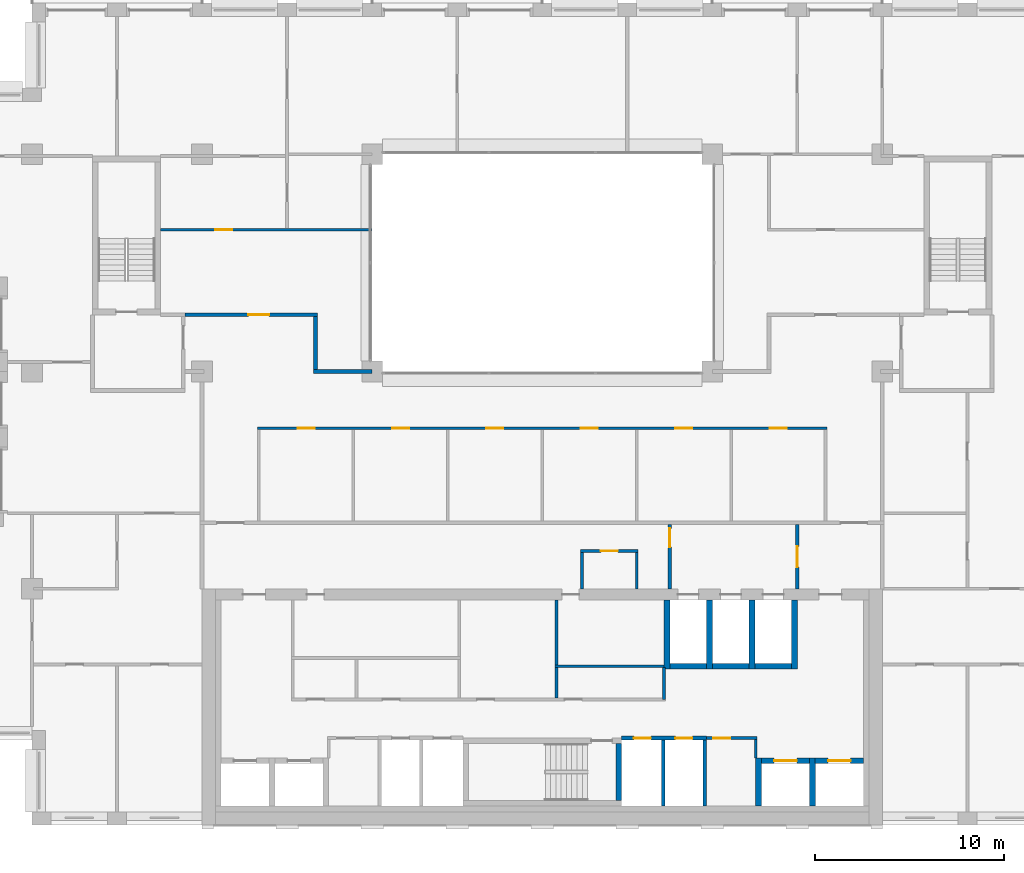
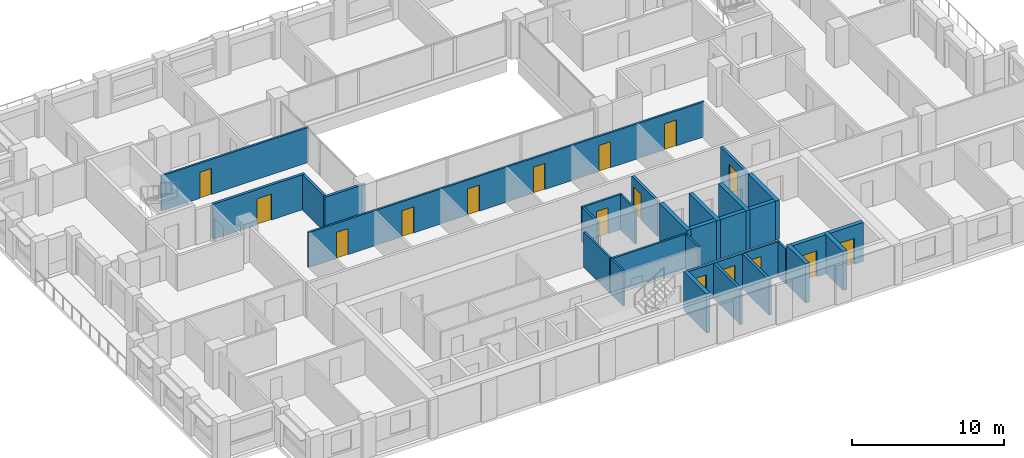
# One storey, part 10 of 15: 31 walls, 16 doors, 16 openings.
"""IFC4 building model written with IfcOpenShell, lengths in metres."""

from ifc_helpers import new_model, si_unit, direction, frame, frame_2d, origin, place, context, subcontext, project, spatial, rectangle, extrude, material, layer, layer_set, type_object, element, fill, save


model = new_model("IFC4")

# Units and contexts
model_context = context("Model", 3, precision=1e-05, world=origin(), true_north=direction((0.0, 1.0)))
body_context = subcontext(model_context, "Body", "Model", "MODEL_VIEW")
ifc_project = project(units=[si_unit("LENGTHUNIT", "METRE"), si_unit("AREAUNIT", "SQUARE_METRE"), si_unit("VOLUMEUNIT", "CUBIC_METRE"), si_unit("PLANEANGLEUNIT", "RADIAN"), si_unit("MASSUNIT", "GRAM", prefix="KILO")], contexts=[model_context])

# Site, building, storey
site_placement = place(None, origin())
site = spatial("IfcSite", under=ifc_project, at=site_placement, CompositionType="ELEMENT")
building_placement = place(site_placement, origin())
building = spatial("IfcBuilding", under=site, at=building_placement, Name="Brigalow Station Residences", CompositionType="ELEMENT")
storey_placement = place(building_placement, frame((0.0, 0.0, 157.050048828125)))
storey = spatial("IfcBuildingStorey", under=building, at=storey_placement, Name="L45", CompositionType="ELEMENT", Elevation=157.050048828125)

# Walls
ifc_material_1 = material(Name="Concrete C65", Category="concrete")
ifc_layer_1 = layer(ifc_material_1, 0.300048828125)
ifc_layer_set_1 = layer_set([ifc_layer_1], Name="CORE SHEAR WALL 300 C65")
wall_type_1 = type_object("IfcWallType", Name="CORE SHEAR WALL 300 C65", PredefinedType="SHEAR", material=ifc_layer_set_1)
wall_1_placement = place(storey_placement, frame((42.75, 8.39990234375, 0.0), z_axis=(0.0, 0.0, 1.0), x_axis=(1.0, 0.0, 0.0)))
element("IfcWall", 1, at=wall_1_placement, inside=storey, type_object=wall_type_1, Name="CORE WALL SH-FF1-S L45", PredefinedType="SHEAR", context=body_context, shape_type="SweptSolid", body=[
    extrude(rectangle(XDim=1.949951171875, YDim=0.300048828125, at=frame_2d((0.97509765625, 0.0))), origin(), (0.0, 0.0, 1.0), 3.14990234375),
])
wall_2_placement = place(storey_placement, frame((42.60009765625, 8.25, 0.0), z_axis=(0.0, 0.0, 1.0), x_axis=(0.0, 1.0, 0.0)))
element("IfcWall", 2, at=wall_2_placement, inside=storey, type_object=wall_type_1, Name="CORE WALL SH-FF1-W L45", PredefinedType="SHEAR", context=body_context, shape_type="SweptSolid", body=[
    extrude(rectangle(XDim=3.64990234375, YDim=0.300048828125, at=frame_2d((1.824951171875, 0.0))), origin(), (0.0, 0.0, 1.0), 3.14990234375),
])
wall_3_placement = place(storey_placement, frame((45.0, 8.39990234375, 0.0), z_axis=(0.0, 0.0, 1.0), x_axis=(1.0, 0.0, 0.0)))
element("IfcWall", 3, at=wall_3_placement, inside=storey, type_object=wall_type_1, Name="CORE WALL SH-FF2-S L45", PredefinedType="SHEAR", context=body_context, shape_type="SweptSolid", body=[
    extrude(rectangle(XDim=1.949951171875, YDim=0.300048828125, at=frame_2d((0.97509765625, 0.0))), origin(), (0.0, 0.0, 1.0), 3.14990234375),
])
wall_4_placement = place(storey_placement, frame((44.85009765625, 8.25, 0.0), z_axis=(0.0, 0.0, 1.0), x_axis=(0.0, 1.0, 0.0)))
element("IfcWall", 4, at=wall_4_placement, inside=storey, type_object=wall_type_1, Name="CORE WALL SH-FF2-W L45", PredefinedType="SHEAR", context=body_context, shape_type="SweptSolid", body=[
    extrude(rectangle(XDim=3.64990234375, YDim=0.300048828125, at=frame_2d((1.824951171875, 0.0))), origin(), (0.0, 0.0, 1.0), 3.14990234375),
])
wall_5_placement = place(storey_placement, frame((47.25, 8.39990234375, 0.0), z_axis=(0.0, 0.0, 1.0), x_axis=(1.0, 0.0, 0.0)))
element("IfcWall", 5, at=wall_5_placement, inside=storey, type_object=wall_type_1, Name="CORE WALL SH-SL1-S L45", PredefinedType="SHEAR", context=body_context, shape_type="SweptSolid", body=[
    extrude(rectangle(XDim=1.949951171875, YDim=0.300048828125, at=frame_2d((0.97509765625, 0.0))), origin(), (0.0, 0.0, 1.0), 3.14990234375),
])
for number, where, z_axis, x_axis, name in (
    (6, (47.10009765625, 8.25, 0.0), (0.0, 0.0, 1.0), (0.0, 1.0, 0.0), "CORE WALL SH-SL1-W L45"),
    (7, (49.35009765625, 8.25, 0.0), (0.0, 0.0, 1.0), (0.0, 1.0, 0.0), "CORE WALL SH-SL1-E L45"),
):
    element("IfcWall", number, at=place(storey_placement, frame(where, z_axis=z_axis, x_axis=x_axis)), inside=storey, type_object=wall_type_1, Name=name, PredefinedType="SHEAR", context=body_context, shape_type="SweptSolid", body=[
        extrude(rectangle(XDim=3.64990234375, YDim=0.300048828125, at=frame_2d((1.824951171875, 0.0))), origin(), (0.0, 0.0, 1.0), 3.14990234375),
    ])

# Wall, opening, door
wall_6_placement = place(storey_placement, frame((47.60009765625, 3.39990234375, 0.0), z_axis=(0.0, 0.0, 1.0), x_axis=(1.0, 0.0, 0.0)))
wall_6 = element("IfcWall", 8, at=wall_6_placement, inside=storey, type_object=wall_type_1, Name="CORE WALL SH-C3-N L45", PredefinedType="SHEAR", context=body_context, shape_type="SweptSolid", body=[
    extrude(rectangle(XDim=2.5498046875, YDim=0.300048828125, at=frame_2d((1.27490234375, 0.0))), origin(), (0.0, 0.0, 1.0), 3.14990234375),
])
opening_1_placement = place(wall_6_placement, frame((0.675048828125, 0.0, 0.0)))
opening_1 = element("IfcOpeningElement", 9, at=opening_1_placement, cuts=wall_6, Name="Opening LD-LB3", PredefinedType="OPENING", context=body_context, shape_type="SweptSolid", body=[
    extrude(rectangle(XDim=1.199951171875, YDim=2.10009765625, at=frame_2d((0.60009765625, 1.050048828125))), frame((0.0, 0.16015625, 0.0), z_axis=(0.0, -1.0, 0.0), x_axis=(1.0, 0.0, 0.0)), (0.0, 0.0, 1.0), 0.320068359375),
])
ifc_material_2 = material(Name="Stainless steel sliding door leaves", Category="steel")
door_type_1 = type_object("IfcDoorType", Name="LIFT LANDING DOOR 1200 x 2100", OperationType="DOUBLE_DOOR_SLIDING", PredefinedType="DOOR", material=ifc_material_2)
door_1_placement = place(opening_1_placement, origin())
door_1 = element("IfcDoor", 10, at=door_1_placement, inside=storey, type_object=door_type_1, Name="LANDING DOOR LB3", OperationType="DOUBLE_DOOR_SLIDING", OverallHeight=2.10009765625, OverallWidth=1.199951171875, PredefinedType="DOOR", context=body_context, shape_type="SweptSolid", body=[
    extrude(rectangle(XDim=1.199951171875, YDim=2.10009765625, at=frame_2d((0.60009765625, 1.050048828125))), frame((0.0, 0.02490234375, 0.0), z_axis=(0.0, -1.0, 0.0), x_axis=(1.0, 0.0, 0.0)), (0.0, 0.0, 1.0), 0.050048828125),
])
fill(opening_1, door_1)

# Wall
wall_7_placement = place(storey_placement, frame((47.449951171875, 1.0, 0.0), z_axis=(0.0, 0.0, 1.0), x_axis=(0.0, 1.0, 0.0)))
element("IfcWall", 11, at=wall_7_placement, inside=storey, type_object=wall_type_1, Name="CORE WALL SH-C3-W L45", PredefinedType="SHEAR", context=body_context, shape_type="SweptSolid", body=[
    extrude(rectangle(XDim=2.550048828125, YDim=0.300048828125, at=frame_2d((1.27490234375, 0.0))), origin(), (0.0, 0.0, 1.0), 3.14990234375),
])

# Wall, opening, door
wall_8_placement = place(storey_placement, frame((50.449951171875, 3.39990234375, 0.0), z_axis=(0.0, 0.0, 1.0), x_axis=(1.0, 0.0, 0.0)))
wall_8 = element("IfcWall", 12, at=wall_8_placement, inside=storey, type_object=wall_type_1, Name="CORE WALL SH-C4-N L45", PredefinedType="SHEAR", context=body_context, shape_type="SweptSolid", body=[
    extrude(rectangle(XDim=2.550048828125, YDim=0.300048828125, at=frame_2d((1.27490234375, 0.0))), origin(), (0.0, 0.0, 1.0), 3.14990234375),
])
opening_2_placement = place(wall_8_placement, frame((0.675048828125, 0.0, 0.0)))
opening_2 = element("IfcOpeningElement", 13, at=opening_2_placement, cuts=wall_8, Name="Opening LD-LB4", PredefinedType="OPENING", context=body_context, shape_type="SweptSolid", body=[
    extrude(rectangle(XDim=1.199951171875, YDim=2.10009765625, at=frame_2d((0.60009765625, 1.050048828125))), frame((0.0, 0.16015625, 0.0), z_axis=(0.0, -1.0, 0.0), x_axis=(1.0, 0.0, 0.0)), (0.0, 0.0, 1.0), 0.320068359375),
])
door_2_placement = place(opening_2_placement, origin())
door_2 = element("IfcDoor", 14, at=door_2_placement, inside=storey, type_object=door_type_1, Name="LANDING DOOR LB4", OperationType="DOUBLE_DOOR_SLIDING", OverallHeight=2.10009765625, OverallWidth=1.199951171875, PredefinedType="DOOR", context=body_context, shape_type="SweptSolid", body=[
    extrude(rectangle(XDim=1.199951171875, YDim=2.10009765625, at=frame_2d((0.60009765625, 1.050048828125))), frame((0.0, 0.02490234375, 0.0), z_axis=(0.0, -1.0, 0.0), x_axis=(1.0, 0.0, 0.0)), (0.0, 0.0, 1.0), 0.050048828125),
])
fill(opening_2, door_2)

# Walls
wall_9_placement = place(storey_placement, frame((50.300048828125, 1.0, 0.0), z_axis=(0.0, 0.0, 1.0), x_axis=(0.0, 1.0, 0.0)))
element("IfcWall", 15, at=wall_9_placement, inside=storey, type_object=wall_type_1, Name="CORE WALL SH-C4-W L45", PredefinedType="SHEAR", context=body_context, shape_type="SweptSolid", body=[
    extrude(rectangle(XDim=2.550048828125, YDim=0.300048828125, at=frame_2d((1.27490234375, 0.0))), origin(), (0.0, 0.0, 1.0), 3.14990234375),
])
wall_10_placement = place(storey_placement, frame((40.050048828125, 1.300048828125, 0.0), z_axis=(0.0, 0.0, 1.0), x_axis=(0.0, 1.0, 0.0)))
element("IfcWall", 16, at=wall_10_placement, inside=storey, type_object=wall_type_1, Name="CORE WALL ST-S2-E L45", PredefinedType="SHEAR", context=body_context, shape_type="SweptSolid", body=[
    extrude(rectangle(XDim=3.0, YDim=0.300048828125, at=frame_2d((1.5, 0.0))), origin(), (0.0, 0.0, 1.0), 3.14990234375),
])

# Wall, openings, doors
ifc_material_3 = material(Name="Concrete blockwork", Category="masonry")
ifc_layer_2 = layer(ifc_material_3, 0.199951171875)
ifc_layer_set_2 = layer_set([ifc_layer_2], Name="FIRE RATED CORE PARTITION 200")
wall_type_2 = type_object("IfcWallType", Name="FIRE RATED CORE PARTITION 200", PredefinedType="PARTITIONING", material=ifc_layer_set_2)
wall_11_placement = place(storey_placement, frame((40.199951171875, 4.60009765625, 0.0), z_axis=(0.0, 0.0, 1.0), x_axis=(1.0, 0.0, 0.0)))
wall_11 = element("IfcWall", 17, at=wall_11_placement, inside=storey, type_object=wall_type_2, Name="PW-5018", PredefinedType="PARTITIONING", context=body_context, shape_type="SweptSolid", body=[
    extrude(rectangle(XDim=4.5, YDim=0.199951171875, at=frame_2d((2.25, 0.0))), origin(), (0.0, 0.0, 1.0), 2.829833984375),
])
opening_3_placement = place(wall_11_placement, frame((0.64990234375, 0.0, 0.0)))
opening_3 = element("IfcOpeningElement", 18, at=opening_3_placement, cuts=wall_11, Name="Opening D-5009", PredefinedType="OPENING", context=body_context, shape_type="SweptSolid", body=[
    extrude(rectangle(XDim=0.89990234375, YDim=2.10009765625, at=frame_2d((0.449951171875, 1.050048828125))), frame((0.0, 0.10986328125, 0.0), z_axis=(0.0, -1.0, 0.0), x_axis=(1.0, 0.0, 0.0)), (0.0, 0.0, 1.0), 0.219970703125),
])
opening_4_placement = place(wall_11_placement, frame((2.85009765625, 0.0, 0.0)))
opening_4 = element("IfcOpeningElement", 19, at=opening_4_placement, cuts=wall_11, Name="Opening D-5010", PredefinedType="OPENING", context=body_context, shape_type="SweptSolid", body=[
    extrude(rectangle(XDim=0.89990234375, YDim=2.10009765625, at=frame_2d((0.449951171875, 1.050048828125))), frame((0.0, 0.10986328125, 0.0), z_axis=(0.0, -1.0, 0.0), x_axis=(1.0, 0.0, 0.0)), (0.0, 0.0, 1.0), 0.219970703125),
])
ifc_material_4 = material(Name="Steel fire door leaf in steel frame", Category="steel")
door_type_2 = type_object("IfcDoorType", Name="RISER ACCESS DOOR 900 x 2100 FD120", OperationType="SINGLE_SWING_LEFT", PredefinedType="DOOR", material=ifc_material_4)
door_3_placement = place(opening_3_placement, frame((0.89990234375, 0.0, 0.0), z_axis=(0.0, 0.0, 1.0), x_axis=(-1.0, 0.0, 0.0)))
door_3 = element("IfcDoor", 20, at=door_3_placement, inside=storey, type_object=door_type_2, Name="D-5009", OperationType="SINGLE_SWING_LEFT", OverallHeight=2.10009765625, OverallWidth=0.89990234375, PredefinedType="DOOR", context=body_context, shape_type="SweptSolid", body=[
    extrude(rectangle(XDim=0.89990234375, YDim=2.10009765625, at=frame_2d((0.449951171875, 1.050048828125))), frame((0.0, 0.02490234375, 0.0), z_axis=(0.0, -1.0, 0.0), x_axis=(1.0, 0.0, 0.0)), (0.0, 0.0, 1.0), 0.050048828125),
])
fill(opening_3, door_3)
door_4_placement = place(opening_4_placement, frame((0.89990234375, 0.0, 0.0), z_axis=(0.0, 0.0, 1.0), x_axis=(-1.0, 0.0, 0.0)))
door_4 = element("IfcDoor", 21, at=door_4_placement, inside=storey, type_object=door_type_2, Name="D-5010", OperationType="SINGLE_SWING_LEFT", OverallHeight=2.10009765625, OverallWidth=0.89990234375, PredefinedType="DOOR", context=body_context, shape_type="SweptSolid", body=[
    extrude(rectangle(XDim=0.89990234375, YDim=2.10009765625, at=frame_2d((0.449951171875, 1.050048828125))), frame((0.0, 0.02490234375, 0.0), z_axis=(0.0, -1.0, 0.0), x_axis=(1.0, 0.0, 0.0)), (0.0, 0.0, 1.0), 0.050048828125),
])
fill(opening_4, door_4)

# Walls
for number, where, z_axis, x_axis, name in (
    (22, (42.39990234375, 1.0, 0.0), (0.0, 0.0, 1.0), (0.0, 1.0, 0.0), "PW-5007"),
    (23, (44.60009765625, 1.0, 0.0), (0.0, 0.0, 1.0), (0.0, 1.0, 0.0), "PW-5008"),
):
    element("IfcWall", number, at=place(storey_placement, frame(where, z_axis=z_axis, x_axis=x_axis)), inside=storey, type_object=wall_type_2, Name=name, PredefinedType="PARTITIONING", context=body_context, shape_type="SweptSolid", body=[
        extrude(rectangle(XDim=3.5, YDim=0.199951171875, at=frame_2d((1.75, 0.0))), origin(), (0.0, 0.0, 1.0), 2.829833984375),
    ])

# Wall, opening, door
wall_12_placement = place(storey_placement, frame((42.75, 12.5, 0.0), z_axis=(0.0, 0.0, 1.0), x_axis=(0.0, 1.0, 0.0)))
wall_12 = element("IfcWall", 24, at=wall_12_placement, inside=storey, type_object=wall_type_2, Name="PW-5014", PredefinedType="PARTITIONING", context=body_context, shape_type="SweptSolid", body=[
    extrude(rectangle(XDim=3.39990234375, YDim=0.199951171875, at=frame_2d((1.699951171875, 0.0))), origin(), (0.0, 0.0, 1.0), 2.829833984375),
])
opening_5_placement = place(wall_12_placement, frame((2.199951171875, 0.0, 0.0)))
opening_5 = element("IfcOpeningElement", 25, at=opening_5_placement, cuts=wall_12, Name="Opening D-5013", PredefinedType="OPENING", context=body_context, shape_type="SweptSolid", body=[
    extrude(rectangle(XDim=1.0, YDim=2.10009765625, at=frame_2d((0.5, 1.050048828125))), frame((0.0, 0.10986328125, 0.0), z_axis=(0.0, -1.0, 0.0), x_axis=(1.0, 0.0, 0.0)), (0.0, 0.0, 1.0), 0.219970703125),
])
ifc_material_5 = material(Name="Steel fire door leaf in steel frame", Category="steel")
door_type_3 = type_object("IfcDoorType", Name="LOBBY DOOR 1000 x 2100 FD60S", OperationType="SINGLE_SWING_LEFT", PredefinedType="DOOR", material=ifc_material_5)
door_5_placement = place(opening_5_placement, origin())
door_5 = element("IfcDoor", 26, at=door_5_placement, inside=storey, type_object=door_type_3, Name="D-5013", OperationType="SINGLE_SWING_RIGHT", OverallHeight=2.10009765625, OverallWidth=1.0, PredefinedType="DOOR", context=body_context, shape_type="SweptSolid", body=[
    extrude(rectangle(XDim=1.0, YDim=2.10009765625, at=frame_2d((0.5, 1.050048828125))), frame((0.0, 0.02490234375, 0.0), z_axis=(0.0, -1.0, 0.0), x_axis=(1.0, 0.0, 0.0)), (0.0, 0.0, 1.0), 0.050048828125),
])
fill(opening_5, door_5)

wall_13_placement = place(storey_placement, frame((49.5, 12.5, 0.0), z_axis=(0.0, 0.0, 1.0), x_axis=(0.0, 1.0, 0.0)))
wall_13 = element("IfcWall", 27, at=wall_13_placement, inside=storey, type_object=wall_type_2, Name="PW-5015", PredefinedType="PARTITIONING", context=body_context, shape_type="SweptSolid", body=[
    extrude(rectangle(XDim=3.39990234375, YDim=0.199951171875, at=frame_2d((1.699951171875, 0.0))), origin(), (0.0, 0.0, 1.0), 2.829833984375),
])
opening_6_placement = place(wall_13_placement, frame((1.14990234375, 0.0, 0.0)))
opening_6 = element("IfcOpeningElement", 28, at=opening_6_placement, cuts=wall_13, Name="Opening D-5014", PredefinedType="OPENING", context=body_context, shape_type="SweptSolid", body=[
    extrude(rectangle(XDim=1.10009765625, YDim=2.10009765625, at=frame_2d((0.550048828125, 1.050048828125))), frame((0.0, 0.10986328125, 0.0), z_axis=(0.0, -1.0, 0.0), x_axis=(1.0, 0.0, 0.0)), (0.0, 0.0, 1.0), 0.219970703125),
])
ifc_material_6 = material(Name="Steel fire door leaf in steel frame", Category="steel")
door_type_4 = type_object("IfcDoorType", Name="LOBBY DOOR 1100 x 2100 FD60S", OperationType="SINGLE_SWING_LEFT", PredefinedType="DOOR", material=ifc_material_6)
door_6_placement = place(opening_6_placement, origin())
door_6 = element("IfcDoor", 29, at=door_6_placement, inside=storey, type_object=door_type_4, Name="D-5014", OperationType="SINGLE_SWING_LEFT", OverallHeight=2.10009765625, OverallWidth=1.10009765625, PredefinedType="DOOR", context=body_context, shape_type="SweptSolid", body=[
    extrude(rectangle(XDim=1.10009765625, YDim=2.10009765625, at=frame_2d((0.550048828125, 1.050048828125))), frame((0.0, 0.02490234375, 0.0), z_axis=(0.0, -1.0, 0.0), x_axis=(1.0, 0.0, 0.0)), (0.0, 0.0, 1.0), 0.050048828125),
])
fill(opening_6, door_6)

# Wall, openings, doors
ifc_material_7 = material(Name="Plasterboard on steel stud partition", Category="steel")
ifc_layer_3 = layer(ifc_material_7, 0.14990234375)
ifc_layer_set_3 = layer_set([ifc_layer_3], Name="FLAT PARTITION 150")
wall_type_3 = type_object("IfcWallType", Name="FLAT PARTITION 150", PredefinedType="PARTITIONING", material=ifc_layer_set_3)
wall_14_placement = place(storey_placement, frame((20.925048828125, 21.0, 0.0), z_axis=(0.0, 0.0, 1.0), x_axis=(1.0, 0.0, 0.0)))
wall_14 = element("IfcWall", 30, at=wall_14_placement, inside=storey, type_object=wall_type_3, Name="PW-3B05", PredefinedType="PARTITIONING", context=body_context, shape_type="SweptSolid", body=[
    extrude(rectangle(XDim=30.14990234375, YDim=0.14990234375, at=frame_2d((15.074951171875, 0.0))), origin(), (0.0, 0.0, 1.0), 2.829833984375),
])
opening_7_placement = place(wall_14_placement, frame((2.125, 0.0, 0.0)))
opening_7 = element("IfcOpeningElement", 31, at=opening_7_placement, cuts=wall_14, Name="Opening D-3B36", PredefinedType="OPENING", context=body_context, shape_type="SweptSolid", body=[
    extrude(rectangle(XDim=0.89990234375, YDim=2.10009765625, at=frame_2d((0.449951171875, 1.050048828125))), frame((0.0, 0.0849609375, 0.0), z_axis=(0.0, -1.0, 0.0), x_axis=(1.0, 0.0, 0.0)), (0.0, 0.0, 1.0), 0.169921875),
])
opening_8_placement = place(wall_14_placement, frame((7.125, 0.0, 0.0)))
opening_8 = element("IfcOpeningElement", 32, at=opening_8_placement, cuts=wall_14, Name="Opening D-3B37", PredefinedType="OPENING", context=body_context, shape_type="SweptSolid", body=[
    extrude(rectangle(XDim=0.89990234375, YDim=2.10009765625, at=frame_2d((0.449951171875, 1.050048828125))), frame((0.0, 0.0849609375, 0.0), z_axis=(0.0, -1.0, 0.0), x_axis=(1.0, 0.0, 0.0)), (0.0, 0.0, 1.0), 0.169921875),
])
opening_9_placement = place(wall_14_placement, frame((12.125, 0.0, 0.0)))
opening_9 = element("IfcOpeningElement", 33, at=opening_9_placement, cuts=wall_14, Name="Opening D-3B38", PredefinedType="OPENING", context=body_context, shape_type="SweptSolid", body=[
    extrude(rectangle(XDim=0.89990234375, YDim=2.10009765625, at=frame_2d((0.449951171875, 1.050048828125))), frame((0.0, 0.0849609375, 0.0), z_axis=(0.0, -1.0, 0.0), x_axis=(1.0, 0.0, 0.0)), (0.0, 0.0, 1.0), 0.169921875),
])
opening_10_placement = place(wall_14_placement, frame((17.125, 0.0, 0.0)))
opening_10 = element("IfcOpeningElement", 34, at=opening_10_placement, cuts=wall_14, Name="Opening D-3B39", PredefinedType="OPENING", context=body_context, shape_type="SweptSolid", body=[
    extrude(rectangle(XDim=0.89990234375, YDim=2.10009765625, at=frame_2d((0.449951171875, 1.050048828125))), frame((0.0, 0.0849609375, 0.0), z_axis=(0.0, -1.0, 0.0), x_axis=(1.0, 0.0, 0.0)), (0.0, 0.0, 1.0), 0.169921875),
])
opening_11_placement = place(wall_14_placement, frame((22.125, 0.0, 0.0)))
opening_11 = element("IfcOpeningElement", 35, at=opening_11_placement, cuts=wall_14, Name="Opening D-3B40", PredefinedType="OPENING", context=body_context, shape_type="SweptSolid", body=[
    extrude(rectangle(XDim=0.89990234375, YDim=2.10009765625, at=frame_2d((0.449951171875, 1.050048828125))), frame((0.0, 0.0849609375, 0.0), z_axis=(0.0, -1.0, 0.0), x_axis=(1.0, 0.0, 0.0)), (0.0, 0.0, 1.0), 0.169921875),
])
opening_12_placement = place(wall_14_placement, frame((27.125, 0.0, 0.0)))
opening_12 = element("IfcOpeningElement", 36, at=opening_12_placement, cuts=wall_14, Name="Opening D-3B41", PredefinedType="OPENING", context=body_context, shape_type="SweptSolid", body=[
    extrude(rectangle(XDim=0.89990234375, YDim=2.10009765625, at=frame_2d((0.449951171875, 1.050048828125))), frame((0.0, 0.0849609375, 0.0), z_axis=(0.0, -1.0, 0.0), x_axis=(1.0, 0.0, 0.0)), (0.0, 0.0, 1.0), 0.169921875),
])
ifc_material_8 = material(Name="Solid-core timber door leaf", Category="wood")
door_type_5 = type_object("IfcDoorType", Name="INTERNAL DOOR 900 x 2100", OperationType="SINGLE_SWING_LEFT", PredefinedType="DOOR", material=ifc_material_8)
door_7_placement = place(opening_7_placement, frame((0.89990234375, 0.0, 0.0), z_axis=(0.0, 0.0, 1.0), x_axis=(-1.0, 0.0, 0.0)))
door_7 = element("IfcDoor", 37, at=door_7_placement, inside=storey, type_object=door_type_5, Name="D-3B36", OperationType="SINGLE_SWING_RIGHT", OverallHeight=2.10009765625, OverallWidth=0.89990234375, PredefinedType="DOOR", context=body_context, shape_type="SweptSolid", body=[
    extrude(rectangle(XDim=0.89990234375, YDim=2.10009765625, at=frame_2d((0.449951171875, 1.050048828125))), frame((0.0, 0.02490234375, 0.0), z_axis=(0.0, -1.0, 0.0), x_axis=(1.0, 0.0, 0.0)), (0.0, 0.0, 1.0), 0.050048828125),
])
fill(opening_7, door_7)
door_8_placement = place(opening_8_placement, frame((0.89990234375, 0.0, 0.0), z_axis=(0.0, 0.0, 1.0), x_axis=(-1.0, 0.0, 0.0)))
door_8 = element("IfcDoor", 38, at=door_8_placement, inside=storey, type_object=door_type_5, Name="D-3B37", OperationType="SINGLE_SWING_RIGHT", OverallHeight=2.10009765625, OverallWidth=0.89990234375, PredefinedType="DOOR", context=body_context, shape_type="SweptSolid", body=[
    extrude(rectangle(XDim=0.89990234375, YDim=2.10009765625, at=frame_2d((0.449951171875, 1.050048828125))), frame((0.0, 0.02490234375, 0.0), z_axis=(0.0, -1.0, 0.0), x_axis=(1.0, 0.0, 0.0)), (0.0, 0.0, 1.0), 0.050048828125),
])
fill(opening_8, door_8)
door_9_placement = place(opening_9_placement, frame((0.89990234375, 0.0, 0.0), z_axis=(0.0, 0.0, 1.0), x_axis=(-1.0, 0.0, 0.0)))
door_9 = element("IfcDoor", 39, at=door_9_placement, inside=storey, type_object=door_type_5, Name="D-3B38", OperationType="SINGLE_SWING_LEFT", OverallHeight=2.10009765625, OverallWidth=0.89990234375, PredefinedType="DOOR", context=body_context, shape_type="SweptSolid", body=[
    extrude(rectangle(XDim=0.89990234375, YDim=2.10009765625, at=frame_2d((0.449951171875, 1.050048828125))), frame((0.0, 0.02490234375, 0.0), z_axis=(0.0, -1.0, 0.0), x_axis=(1.0, 0.0, 0.0)), (0.0, 0.0, 1.0), 0.050048828125),
])
fill(opening_9, door_9)
door_10_placement = place(opening_10_placement, frame((0.89990234375, 0.0, 0.0), z_axis=(0.0, 0.0, 1.0), x_axis=(-1.0, 0.0, 0.0)))
door_10 = element("IfcDoor", 40, at=door_10_placement, inside=storey, type_object=door_type_5, Name="D-3B39", OperationType="SINGLE_SWING_LEFT", OverallHeight=2.10009765625, OverallWidth=0.89990234375, PredefinedType="DOOR", context=body_context, shape_type="SweptSolid", body=[
    extrude(rectangle(XDim=0.89990234375, YDim=2.10009765625, at=frame_2d((0.449951171875, 1.050048828125))), frame((0.0, 0.02490234375, 0.0), z_axis=(0.0, -1.0, 0.0), x_axis=(1.0, 0.0, 0.0)), (0.0, 0.0, 1.0), 0.050048828125),
])
fill(opening_10, door_10)
door_11_placement = place(opening_11_placement, frame((0.89990234375, 0.0, 0.0), z_axis=(0.0, 0.0, 1.0), x_axis=(-1.0, 0.0, 0.0)))
door_11 = element("IfcDoor", 41, at=door_11_placement, inside=storey, type_object=door_type_5, Name="D-3B40", OperationType="SINGLE_SWING_LEFT", OverallHeight=2.10009765625, OverallWidth=0.89990234375, PredefinedType="DOOR", context=body_context, shape_type="SweptSolid", body=[
    extrude(rectangle(XDim=0.89990234375, YDim=2.10009765625, at=frame_2d((0.449951171875, 1.050048828125))), frame((0.0, 0.02490234375, 0.0), z_axis=(0.0, -1.0, 0.0), x_axis=(1.0, 0.0, 0.0)), (0.0, 0.0, 1.0), 0.050048828125),
])
fill(opening_11, door_11)
door_12_placement = place(opening_12_placement, frame((0.89990234375, 0.0, 0.0), z_axis=(0.0, 0.0, 1.0), x_axis=(-1.0, 0.0, 0.0)))
door_12 = element("IfcDoor", 42, at=door_12_placement, inside=storey, type_object=door_type_5, Name="D-3B41", OperationType="SINGLE_SWING_RIGHT", OverallHeight=2.10009765625, OverallWidth=0.89990234375, PredefinedType="DOOR", context=body_context, shape_type="SweptSolid", body=[
    extrude(rectangle(XDim=0.89990234375, YDim=2.10009765625, at=frame_2d((0.449951171875, 1.050048828125))), frame((0.0, 0.02490234375, 0.0), z_axis=(0.0, -1.0, 0.0), x_axis=(1.0, 0.0, 0.0)), (0.0, 0.0, 1.0), 0.050048828125),
])
fill(opening_12, door_12)

# Wall, opening, door
wall_15_placement = place(storey_placement, frame((15.800048828125, 31.5, 0.0), z_axis=(0.0, 0.0, 1.0), x_axis=(1.0, 0.0, 0.0)))
wall_15 = element("IfcWall", 43, at=wall_15_placement, inside=storey, type_object=wall_type_3, Name="PW-3B08", PredefinedType="PARTITIONING", context=body_context, shape_type="SweptSolid", body=[
    extrude(rectangle(XDim=11.199951171875, YDim=0.14990234375, at=frame_2d((5.60009765625, 0.0))), origin(), (0.0, 0.0, 1.0), 2.829833984375),
])
opening_13_placement = place(wall_15_placement, frame((2.89990234375, 0.0, 0.0)))
opening_13 = element("IfcOpeningElement", 44, at=opening_13_placement, cuts=wall_15, Name="Opening D-3B04", PredefinedType="OPENING", context=body_context, shape_type="SweptSolid", body=[
    extrude(rectangle(XDim=0.89990234375, YDim=2.10009765625, at=frame_2d((0.449951171875, 1.050048828125))), frame((0.0, 0.0849609375, 0.0), z_axis=(0.0, -1.0, 0.0), x_axis=(1.0, 0.0, 0.0)), (0.0, 0.0, 1.0), 0.169921875),
])
door_13_placement = place(opening_13_placement, origin())
door_13 = element("IfcDoor", 45, at=door_13_placement, inside=storey, type_object=door_type_5, Name="D-3B04", OperationType="SINGLE_SWING_RIGHT", OverallHeight=2.10009765625, OverallWidth=0.89990234375, PredefinedType="DOOR", context=body_context, shape_type="SweptSolid", body=[
    extrude(rectangle(XDim=0.89990234375, YDim=2.10009765625, at=frame_2d((0.449951171875, 1.050048828125))), frame((0.0, 0.02490234375, 0.0), z_axis=(0.0, -1.0, 0.0), x_axis=(1.0, 0.0, 0.0)), (0.0, 0.0, 1.0), 0.050048828125),
])
fill(opening_13, door_13)

# Wall
ifc_material_9 = material(Name="Plasterboard on steel stud partition", Category="steel")
ifc_layer_4 = layer(ifc_material_9, 0.199951171875)
ifc_layer_set_4 = layer_set([ifc_layer_4], Name="PARTY AND CORRIDOR WALL 200")
wall_type_4 = type_object("IfcWallType", Name="PARTY AND CORRIDOR WALL 200", PredefinedType="PARTITIONING", material=ifc_layer_set_4)
wall_16_placement = place(storey_placement, frame((23.89990234375, 24.0, 0.0), z_axis=(0.0, 0.0, 1.0), x_axis=(1.0, 0.0, 0.0)))
element("IfcWall", 46, at=wall_16_placement, inside=storey, type_object=wall_type_4, Name="PW-3B02", PredefinedType="PARTITIONING", context=body_context, shape_type="SweptSolid", body=[
    extrude(rectangle(XDim=3.10009765625, YDim=0.199951171875, at=frame_2d((1.550048828125, 0.0))), origin(), (0.0, 0.0, 1.0), 2.829833984375),
])

# Wall, opening, door
wall_17_placement = place(storey_placement, frame((17.10009765625, 27.0, 0.0), z_axis=(0.0, 0.0, 1.0), x_axis=(1.0, 0.0, 0.0)))
wall_17 = element("IfcWall", 47, at=wall_17_placement, inside=storey, type_object=wall_type_4, Name="PW-3B06", PredefinedType="PARTITIONING", context=body_context, shape_type="SweptSolid", body=[
    extrude(rectangle(XDim=7.0, YDim=0.199951171875, at=frame_2d((3.5, 0.0))), origin(), (0.0, 0.0, 1.0), 2.829833984375),
])
opening_14_placement = place(wall_17_placement, frame((3.35009765625, 0.0, 0.0)))
opening_14 = element("IfcOpeningElement", 48, at=opening_14_placement, cuts=wall_17, Name="Opening D-3B03", PredefinedType="OPENING", context=body_context, shape_type="SweptSolid", body=[
    extrude(rectangle(XDim=1.10009765625, YDim=2.10009765625, at=frame_2d((0.550048828125, 1.050048828125))), frame((0.0, 0.10986328125, 0.0), z_axis=(0.0, -1.0, 0.0), x_axis=(1.0, 0.0, 0.0)), (0.0, 0.0, 1.0), 0.219970703125),
])
ifc_material_10 = material(Name="Solid-core timber door leaf", Category="wood")
door_type_6 = type_object("IfcDoorType", Name="FLAT ENTRANCE DOOR 1100 x 2100 FRL -/60/30", OperationType="SINGLE_SWING_LEFT", PredefinedType="DOOR", material=ifc_material_10)
door_14_placement = place(opening_14_placement, origin())
door_14 = element("IfcDoor", 49, at=door_14_placement, inside=storey, type_object=door_type_6, Name="D-3B03", OperationType="SINGLE_SWING_LEFT", OverallHeight=2.10009765625, OverallWidth=1.10009765625, PredefinedType="DOOR", context=body_context, shape_type="SweptSolid", body=[
    extrude(rectangle(XDim=1.10009765625, YDim=2.10009765625, at=frame_2d((0.550048828125, 1.050048828125))), frame((0.0, 0.02490234375, 0.0), z_axis=(0.0, -1.0, 0.0), x_axis=(1.0, 0.0, 0.0)), (0.0, 0.0, 1.0), 0.050048828125),
])
fill(opening_14, door_14)

# Wall
wall_18_placement = place(storey_placement, frame((24.0, 24.10009765625, 0.0), z_axis=(0.0, 0.0, 1.0), x_axis=(0.0, 1.0, 0.0)))
element("IfcWall", 50, at=wall_18_placement, inside=storey, type_object=wall_type_4, Name="PW-3B32", PredefinedType="PARTITIONING", context=body_context, shape_type="SweptSolid", body=[
    extrude(rectangle(XDim=2.7998046875, YDim=0.199951171875, at=frame_2d((1.39990234375, 0.0))), origin(), (0.0, 0.0, 1.0), 2.829833984375),
])

# Wall, opening, door
ifc_material_11 = material(Name="Plasterboard on steel studs", Category="steel")
ifc_layer_5 = layer(ifc_material_11, 0.14990234375)
ifc_layer_set_5 = layer_set([ifc_layer_5], Name="SERVICE ROOM PARTITION 150")
wall_type_5 = type_object("IfcWallType", Name="SERVICE ROOM PARTITION 150", PredefinedType="PARTITIONING", material=ifc_layer_set_5)
wall_19_placement = place(storey_placement, frame((44.699951171875, 4.60009765625, 0.0), z_axis=(0.0, 0.0, 1.0), x_axis=(1.0, 0.0, 0.0)))
wall_19 = element("IfcWall", 51, at=wall_19_placement, inside=storey, type_object=wall_type_5, Name="PW-5156", PredefinedType="PARTITIONING", context=body_context, shape_type="SweptSolid", body=[
    extrude(rectangle(XDim=2.675048828125, YDim=0.14990234375, at=frame_2d((1.33740234375, 0.0))), origin(), (0.0, 0.0, 1.0), 2.829833984375),
])
opening_15_placement = place(wall_19_placement, frame((0.35009765625, 0.0, 0.0)))
opening_15 = element("IfcOpeningElement", 52, at=opening_15_placement, cuts=wall_19, Name="Opening D-5026", PredefinedType="OPENING", context=body_context, shape_type="SweptSolid", body=[
    extrude(rectangle(XDim=0.89990234375, YDim=2.10009765625, at=frame_2d((0.449951171875, 1.050048828125))), frame((0.0, 0.0849609375, 0.0), z_axis=(0.0, -1.0, 0.0), x_axis=(1.0, 0.0, 0.0)), (0.0, 0.0, 1.0), 0.169921875),
])
ifc_material_12 = material(Name="Steel door leaf in steel frame", Category="steel")
door_type_7 = type_object("IfcDoorType", Name="SERVICE ROOM DOOR 900 x 2100 FD60", OperationType="SINGLE_SWING_LEFT", PredefinedType="DOOR", material=ifc_material_12)
door_15_placement = place(opening_15_placement, frame((0.89990234375, 0.0, 0.0), z_axis=(0.0, 0.0, 1.0), x_axis=(-1.0, 0.0, 0.0)))
door_15 = element("IfcDoor", 53, at=door_15_placement, inside=storey, type_object=door_type_7, Name="D-5026", OperationType="SINGLE_SWING_RIGHT", OverallHeight=2.10009765625, OverallWidth=0.89990234375, PredefinedType="DOOR", context=body_context, shape_type="SweptSolid", body=[
    extrude(rectangle(XDim=0.89990234375, YDim=2.10009765625, at=frame_2d((0.449951171875, 1.050048828125))), frame((0.0, 0.02490234375, 0.0), z_axis=(0.0, -1.0, 0.0), x_axis=(1.0, 0.0, 0.0)), (0.0, 0.0, 1.0), 0.050048828125),
])
fill(opening_15, door_15)

# Wall
wall_20_placement = place(storey_placement, frame((36.675048828125, 8.39990234375, 0.0), z_axis=(0.0, 0.0, 1.0), x_axis=(1.0, 0.0, 0.0)))
element("IfcWall", 54, at=wall_20_placement, inside=storey, type_object=wall_type_5, Name="PW-5204", PredefinedType="PARTITIONING", context=body_context, shape_type="SweptSolid", body=[
    extrude(rectangle(XDim=5.77490234375, YDim=0.14990234375, at=frame_2d((2.887451171875, 0.0))), origin(), (0.0, 0.0, 1.0), 2.829833984375),
])

# Wall, opening, door
wall_21_placement = place(storey_placement, frame((38.02490234375, 14.5, 0.0), z_axis=(0.0, 0.0, 1.0), x_axis=(1.0, 0.0, 0.0)))
wall_21 = element("IfcWall", 55, at=wall_21_placement, inside=storey, type_object=wall_type_5, Name="PW-5138", PredefinedType="PARTITIONING", context=body_context, shape_type="SweptSolid", body=[
    extrude(rectangle(XDim=3.050048828125, YDim=0.14990234375, at=frame_2d((1.52490234375, 0.0))), origin(), (0.0, 0.0, 1.0), 2.829833984375),
])
opening_16_placement = place(wall_21_placement, frame((1.074951171875, 0.0, 0.0)))
opening_16 = element("IfcOpeningElement", 56, at=opening_16_placement, cuts=wall_21, Name="Opening D-5079", PredefinedType="OPENING", context=body_context, shape_type="SweptSolid", body=[
    extrude(rectangle(XDim=0.89990234375, YDim=2.10009765625, at=frame_2d((0.449951171875, 1.050048828125))), frame((0.0, 0.0849609375, 0.0), z_axis=(0.0, -1.0, 0.0), x_axis=(1.0, 0.0, 0.0)), (0.0, 0.0, 1.0), 0.169921875),
])
door_16_placement = place(opening_16_placement, frame((0.89990234375, 0.0, 0.0), z_axis=(0.0, 0.0, 1.0), x_axis=(-1.0, 0.0, 0.0)))
door_16 = element("IfcDoor", 57, at=door_16_placement, inside=storey, type_object=door_type_7, Name="D-5079", OperationType="SINGLE_SWING_RIGHT", OverallHeight=2.10009765625, OverallWidth=0.89990234375, PredefinedType="DOOR", context=body_context, shape_type="SweptSolid", body=[
    extrude(rectangle(XDim=0.89990234375, YDim=2.10009765625, at=frame_2d((0.449951171875, 1.050048828125))), frame((0.0, 0.02490234375, 0.0), z_axis=(0.0, -1.0, 0.0), x_axis=(1.0, 0.0, 0.0)), (0.0, 0.0, 1.0), 0.050048828125),
])
fill(opening_16, door_16)

# Walls
wall_22_placement = place(storey_placement, frame((47.300048828125, 3.550048828125, 0.0), z_axis=(0.0, 0.0, 1.0), x_axis=(0.0, 1.0, 0.0)))
element("IfcWall", 58, at=wall_22_placement, inside=storey, type_object=wall_type_5, Name="PW-5158", PredefinedType="PARTITIONING", context=body_context, shape_type="SweptSolid", body=[
    extrude(rectangle(XDim=0.974853515625, YDim=0.14990234375, at=frame_2d((0.4873046875, 0.0))), origin(), (0.0, 0.0, 1.0), 2.829833984375),
])
wall_23_placement = place(storey_placement, frame((42.449951171875, 6.64990234375, 0.0), z_axis=(0.0, 0.0, 1.0), x_axis=(0.0, 1.0, 0.0)))
element("IfcWall", 59, at=wall_23_placement, inside=storey, type_object=wall_type_5, Name="PW-5206", PredefinedType="PARTITIONING", context=body_context, shape_type="SweptSolid", body=[
    extrude(rectangle(XDim=1.675048828125, YDim=0.14990234375, at=frame_2d((0.83740234375, 0.0))), origin(), (0.0, 0.0, 1.0), 2.829833984375),
])
wall_24_placement = place(storey_placement, frame((36.75, 6.72509765625, 0.0), z_axis=(0.0, 0.0, 1.0), x_axis=(0.0, 1.0, 0.0)))
element("IfcWall", 60, at=wall_24_placement, inside=storey, type_object=wall_type_5, Name="PW-5210", PredefinedType="PARTITIONING", context=body_context, shape_type="SweptSolid", body=[
    extrude(rectangle(XDim=1.599853515625, YDim=0.14990234375, at=frame_2d((0.7998046875, 0.0))), origin(), (0.0, 0.0, 1.0), 2.829833984375),
])
wall_25_placement = place(storey_placement, frame((36.75, 8.47509765625, 0.0), z_axis=(0.0, 0.0, 1.0), x_axis=(0.0, 1.0, 0.0)))
element("IfcWall", 61, at=wall_25_placement, inside=storey, type_object=wall_type_5, Name="PW-5211", PredefinedType="PARTITIONING", context=body_context, shape_type="SweptSolid", body=[
    extrude(rectangle(XDim=3.4248046875, YDim=0.14990234375, at=frame_2d((1.71240234375, 0.0))), origin(), (0.0, 0.0, 1.0), 2.829833984375),
])
for number, where, z_axis, x_axis, name in (
    (62, (38.10009765625, 12.5, 0.0), (0.0, 0.0, 1.0), (0.0, 1.0, 0.0), "PW-5139"),
    (63, (41.0, 12.5, 0.0), (0.0, 0.0, 1.0), (0.0, 1.0, 0.0), "PW-5140"),
):
    element("IfcWall", number, at=place(storey_placement, frame(where, z_axis=z_axis, x_axis=x_axis)), inside=storey, type_object=wall_type_5, Name=name, PredefinedType="PARTITIONING", context=body_context, shape_type="SweptSolid", body=[
        extrude(rectangle(XDim=1.925048828125, YDim=0.14990234375, at=frame_2d((0.96240234375, 0.0))), origin(), (0.0, 0.0, 1.0), 2.829833984375),
    ])

save(model, "model.ifc")
